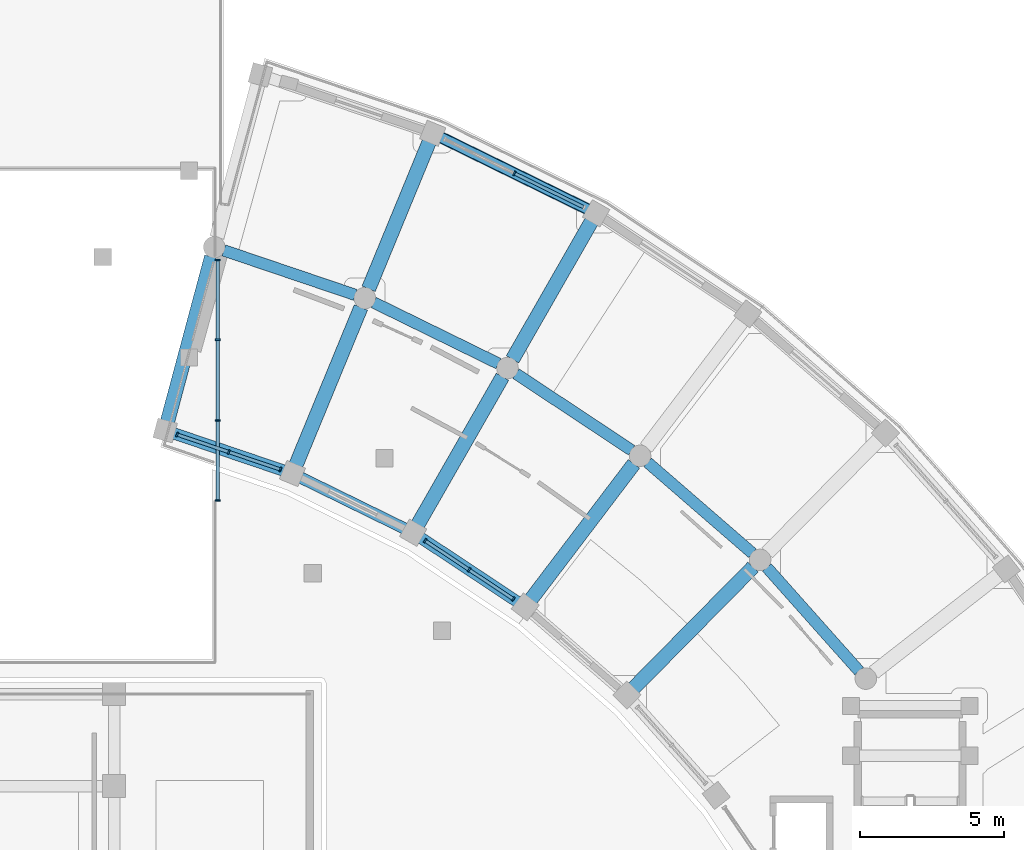
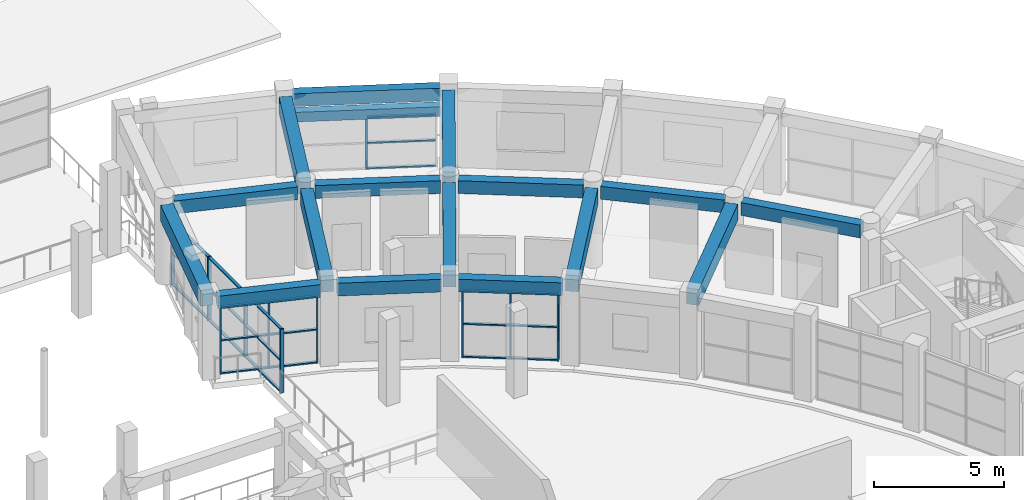
# One storey, part 39 of 87: 35 members, 17 beams, 4 elements without a shape of their own.
"""IFC4 building model written with IfcOpenShell, lengths in metres."""

from ifc_helpers import new_model, si_unit, direction, frame, origin, origin_2d, place, context, subcontext, project, spatial, rectangle, extrude, material, material_profile, profile_set, type_object, element, aggregate, save


model = new_model("IFC4")

# Units and contexts
model_context = context("Model", 3, precision=1e-05, world=origin(), true_north=direction((0.0, 1.0)))
body_context = subcontext(model_context, "Body", "Model", "MODEL_VIEW")
ifc_project = project(units=[si_unit("LENGTHUNIT", "METRE"), si_unit("AREAUNIT", "SQUARE_METRE"), si_unit("VOLUMEUNIT", "CUBIC_METRE"), si_unit("PLANEANGLEUNIT", "RADIAN"), si_unit("MASSUNIT", "GRAM", prefix="KILO")], contexts=[model_context])

# Site, building, storey
site_placement = place(None, origin())
site = spatial("IfcSite", under=ifc_project, at=site_placement, CompositionType="ELEMENT")
building_placement = place(site_placement, origin())
building = spatial("IfcBuilding", under=site, at=building_placement, Name="Saryqyr Civic Hall", CompositionType="ELEMENT")
storey_placement = place(building_placement, frame((0.0, 0.0, 5.10009765625)))
storey = spatial("IfcBuildingStorey", under=building, at=storey_placement, Name="L01", CompositionType="ELEMENT", Elevation=5.10009765625)

# Curtain wall, members
ifc_material_1 = material(Name="Anodised aluminium and triple low-E glass", Category="aluminium")
curtain_wall_type_1 = type_object("IfcCurtainWallType", Name="ENV-CW-STD-18", PredefinedType="NOTDEFINED", material=ifc_material_1)
curtain_wall_1_placement = place(storey_placement, origin())
curtain_wall_1 = element("IfcCurtainWall", 1, at=curtain_wall_1_placement, inside=storey, type_object=curtain_wall_type_1, Name="Curtain wall V6-CWI-L01-07", PredefinedType="NOTDEFINED")
ifc_material_2 = material(Name="Anodised aluminium", Category="aluminium")
ifc_material_profile_1 = material_profile(ifc_material_2, rectangle(XDim=0.06005859375, YDim=0.159912109375, at=origin_2d()), Name="ALU MULLION 60x160")
ifc_profile_set_1 = profile_set([ifc_material_profile_1], Name="Anodised aluminium")
member_type_1 = type_object("IfcMemberType", Name="ENV-CW-MUL-180", PredefinedType="MULLION", material=ifc_profile_set_1)
member_1_placement = place(storey_placement, frame((78.47900390625, 113.103515625, 0.0), z_axis=(0.0, 0.0, 1.0), x_axis=(-0.833778164211, 0.552099604133, 0.0)))
member_1 = element("IfcMember", 2, at=member_1_placement, type_object=member_type_1, Name="CW-18 mullion 1", PredefinedType="MULLION", context=body_context, shape_type="SweptSolid", body=[
    extrude(rectangle(XDim=0.06005859375, YDim=0.159912109375, at=origin_2d()), origin(), (0.0, 0.0, 1.0), 3.14501953125),
])
member_2_placement = place(storey_placement, frame((76.945068359375, 114.119384765625, 0.0), z_axis=(0.0, 0.0, 1.0), x_axis=(-0.833778164211, 0.552099604133, 0.0)))
member_2 = element("IfcMember", 3, at=member_2_placement, type_object=member_type_1, Name="CW-18 mullion 2", PredefinedType="MULLION", context=body_context, shape_type="SweptSolid", body=[
    extrude(rectangle(XDim=0.06005859375, YDim=0.159912109375, at=origin_2d()), origin(), (0.0, 0.0, 1.0), 3.14501953125),
])
member_3_placement = place(storey_placement, frame((75.410888671875, 115.13525390625, 0.0), z_axis=(0.0, 0.0, 1.0), x_axis=(-0.833778164211, 0.552099604133, 0.0)))
member_3 = element("IfcMember", 4, at=member_3_placement, type_object=member_type_1, Name="CW-18 mullion 3", PredefinedType="MULLION", context=body_context, shape_type="SweptSolid", body=[
    extrude(rectangle(XDim=0.06005859375, YDim=0.159912109375, at=origin_2d()), origin(), (0.0, 0.0, 1.0), 3.14501953125),
])

# Curtain wall, member
curtain_wall_type_2 = type_object("IfcCurtainWallType", Name="ENV-CW-STD-38", PredefinedType="NOTDEFINED", material=ifc_material_1)
curtain_wall_2_placement = place(storey_placement, origin())
curtain_wall_2 = element("IfcCurtainWall", 5, at=curtain_wall_2_placement, inside=storey, type_object=curtain_wall_type_2, Name="Curtain wall V6-CWO-L01-08", PredefinedType="NOTDEFINED")
member_4_placement = place(storey_placement, frame((78.517822265625, 127.90869140625, 0.0), z_axis=(0.0, 0.0, 1.0), x_axis=(0.897970253811, -0.440056159224, 0.0)))
member_4 = element("IfcMember", 6, at=member_4_placement, type_object=member_type_1, Name="CW-38 mullion 2", PredefinedType="MULLION", context=body_context, shape_type="SweptSolid", body=[
    extrude(rectangle(XDim=0.06005859375, YDim=0.159912109375, at=origin_2d()), origin(), (0.0, 0.0, 1.0), 2.449951171875),
])

# Curtain wall, members
curtain_wall_type_3 = type_object("IfcCurtainWallType", Name="ENV-CW-STD-20", PredefinedType="NOTDEFINED", material=ifc_material_1)
curtain_wall_3_placement = place(storey_placement, origin())
curtain_wall_3 = element("IfcCurtainWall", 7, at=curtain_wall_3_placement, inside=storey, type_object=curtain_wall_type_3, Name="Curtain wall V6-CWI-L01-09", PredefinedType="NOTDEFINED")
member_5_placement = place(storey_placement, frame((70.37939453125, 117.609130859375, 0.0), z_axis=(0.0, 0.0, 1.0), x_axis=(-0.947198381274, 0.32064813505, 0.0)))
member_5 = element("IfcMember", 8, at=member_5_placement, type_object=member_type_1, Name="CW-20 mullion 1", PredefinedType="MULLION", context=body_context, shape_type="SweptSolid", body=[
    extrude(rectangle(XDim=0.06005859375, YDim=0.159912109375, at=origin_2d()), origin(), (0.0, 0.0, 1.0), 3.14501953125),
])
member_6_placement = place(storey_placement, frame((68.58349609375, 118.217041015625, 0.0), z_axis=(0.0, 0.0, 1.0), x_axis=(-0.947198381274, 0.32064813505, 0.0)))
member_6 = element("IfcMember", 9, at=member_6_placement, type_object=member_type_1, Name="CW-20 mullion 2", PredefinedType="MULLION", context=body_context, shape_type="SweptSolid", body=[
    extrude(rectangle(XDim=0.06005859375, YDim=0.159912109375, at=origin_2d()), origin(), (0.0, 0.0, 1.0), 3.14501953125),
])
member_7_placement = place(storey_placement, frame((66.78759765625, 118.824951171875, 0.0), z_axis=(0.0, 0.0, 1.0), x_axis=(-0.947198381274, 0.32064813505, 0.0)))
member_7 = element("IfcMember", 10, at=member_7_placement, type_object=member_type_1, Name="CW-20 mullion 3", PredefinedType="MULLION", context=body_context, shape_type="SweptSolid", body=[
    extrude(rectangle(XDim=0.06005859375, YDim=0.159912109375, at=origin_2d()), origin(), (0.0, 0.0, 1.0), 3.14501953125),
])

curtain_wall_type_4 = type_object("IfcCurtainWallType", Name="ENV-CW-STD-73", PredefinedType="NOTDEFINED", material=ifc_material_1)
curtain_wall_4_placement = place(storey_placement, origin())
curtain_wall_4 = element("IfcCurtainWall", 11, at=curtain_wall_4_placement, inside=storey, type_object=curtain_wall_type_4, Name="Curtain wall V2-VESTFLK-NE-L01", PredefinedType="NOTDEFINED")
member_8_placement = place(storey_placement, frame((68.199951171875, 124.896484375, 0.0), z_axis=(0.0, 0.0, 1.0), x_axis=(0.0, -1.0, 0.0)))
member_8 = element("IfcMember", 12, at=member_8_placement, type_object=member_type_1, Name="CW-73 mullion 1", PredefinedType="MULLION", context=body_context, shape_type="SweptSolid", body=[
    extrude(rectangle(XDim=0.06005859375, YDim=0.159912109375, at=origin_2d()), origin(), (0.0, 0.0, 1.0), 2.994873046875),
])
member_9_placement = place(storey_placement, frame((68.199951171875, 122.11767578125, 0.0), z_axis=(0.0, 0.0, 1.0), x_axis=(0.0, -1.0, 0.0)))
member_9 = element("IfcMember", 13, at=member_9_placement, type_object=member_type_1, Name="CW-73 mullion 2", PredefinedType="MULLION", context=body_context, shape_type="SweptSolid", body=[
    extrude(rectangle(XDim=0.06005859375, YDim=0.159912109375, at=origin_2d()), origin(), (0.0, 0.0, 1.0), 2.994873046875),
])
member_10_placement = place(storey_placement, frame((68.199951171875, 119.308837890625, 0.0), z_axis=(0.0, 0.0, 1.0), x_axis=(0.0, -1.0, 0.0)))
member_10 = element("IfcMember", 14, at=member_10_placement, type_object=member_type_1, Name="CW-73 mullion 3", PredefinedType="MULLION", context=body_context, shape_type="SweptSolid", body=[
    extrude(rectangle(XDim=0.06005859375, YDim=0.159912109375, at=origin_2d()), origin(), (0.0, 0.0, 1.0), 2.994873046875),
])
member_11_placement = place(storey_placement, frame((68.199951171875, 116.530029296875, 0.0), z_axis=(0.0, 0.0, 1.0), x_axis=(0.0, -1.0, 0.0)))
member_11 = element("IfcMember", 15, at=member_11_placement, type_object=member_type_1, Name="CW-73 mullion 4", PredefinedType="MULLION", context=body_context, shape_type="SweptSolid", body=[
    extrude(rectangle(XDim=0.06005859375, YDim=0.159912109375, at=origin_2d()), origin(), (0.0, 0.0, 1.0), 2.994873046875),
])

# Member
ifc_material_profile_2 = material_profile(ifc_material_2, rectangle(XDim=0.1201171875, YDim=0.06005859375, at=origin_2d()), Name="ALU TRANSOM 120x60")
ifc_profile_set_2 = profile_set([ifc_material_profile_2], Name="Anodised aluminium")
member_type_2 = type_object("IfcMemberType", Name="ENV-CW-TRN-150", PredefinedType="USERDEFINED", material=ifc_profile_set_2)
member_12_placement = place(storey_placement, frame((78.453857421875, 113.1201171875, 0.02978515625), z_axis=(-0.83375576745, 0.552133426125, 0.0), x_axis=(-0.552133426125, -0.83375576745, 0.0)))
member_12 = element("IfcMember", 16, at=member_12_placement, type_object=member_type_2, Name="CW-18 transom 1.1", ObjectType="TRANSOM", PredefinedType="USERDEFINED", context=body_context, shape_type="SweptSolid", body=[
    extrude(rectangle(XDim=0.1201171875, YDim=0.06005859375, at=origin_2d()), origin(), (0.0, 0.0, 1.0), 1.77978515625),
])

member_13_placement = place(storey_placement, frame((78.453857421875, 113.1201171875, 1.572021484375), z_axis=(-0.83375576745, 0.552133426125, 0.0), x_axis=(-0.552133426125, -0.83375576745, 0.0)))
member_13 = element("IfcMember", 17, at=member_13_placement, type_object=member_type_2, Name="CW-18 transom 1.2", ObjectType="TRANSOM", PredefinedType="USERDEFINED", context=body_context, shape_type="SweptSolid", body=[
    extrude(rectangle(XDim=0.1201171875, YDim=0.06005859375, at=origin_2d()), origin(), (0.0, 0.0, 1.0), 1.77978515625),
])

member_14_placement = place(storey_placement, frame((78.453857421875, 113.1201171875, 3.114990234375), z_axis=(-0.83375576745, 0.552133426125, 0.0), x_axis=(-0.552133426125, -0.83375576745, 0.0)))
member_14 = element("IfcMember", 18, at=member_14_placement, type_object=member_type_2, Name="CW-18 transom 1.3", ObjectType="TRANSOM", PredefinedType="USERDEFINED", context=body_context, shape_type="SweptSolid", body=[
    extrude(rectangle(XDim=0.1201171875, YDim=0.06005859375, at=origin_2d()), origin(), (0.0, 0.0, 1.0), 1.77978515625),
])

member_15_placement = place(storey_placement, frame((76.919921875, 114.135986328125, 0.02978515625), z_axis=(-0.83375576745, 0.552133426125, 0.0), x_axis=(-0.552133426125, -0.83375576745, 0.0)))
member_15 = element("IfcMember", 19, at=member_15_placement, type_object=member_type_2, Name="CW-18 transom 2.1", ObjectType="TRANSOM", PredefinedType="USERDEFINED", context=body_context, shape_type="SweptSolid", body=[
    extrude(rectangle(XDim=0.1201171875, YDim=0.06005859375, at=origin_2d()), origin(), (0.0, 0.0, 1.0), 1.77978515625),
])

member_16_placement = place(storey_placement, frame((76.919921875, 114.135986328125, 1.572021484375), z_axis=(-0.83375576745, 0.552133426125, 0.0), x_axis=(-0.552133426125, -0.83375576745, 0.0)))
member_16 = element("IfcMember", 20, at=member_16_placement, type_object=member_type_2, Name="CW-18 transom 2.2", ObjectType="TRANSOM", PredefinedType="USERDEFINED", context=body_context, shape_type="SweptSolid", body=[
    extrude(rectangle(XDim=0.1201171875, YDim=0.06005859375, at=origin_2d()), origin(), (0.0, 0.0, 1.0), 1.77978515625),
])

member_17_placement = place(storey_placement, frame((76.919921875, 114.135986328125, 3.114990234375), z_axis=(-0.83375576745, 0.552133426125, 0.0), x_axis=(-0.552133426125, -0.83375576745, 0.0)))
member_17 = element("IfcMember", 21, at=member_17_placement, type_object=member_type_2, Name="CW-18 transom 2.3", ObjectType="TRANSOM", PredefinedType="USERDEFINED", context=body_context, shape_type="SweptSolid", body=[
    extrude(rectangle(XDim=0.1201171875, YDim=0.06005859375, at=origin_2d()), origin(), (0.0, 0.0, 1.0), 1.77978515625),
])

aggregate(curtain_wall_1, [member_1, member_2, member_3, member_12, member_13, member_14, member_15, member_16, member_17])

member_18_placement = place(storey_placement, frame((78.544677734375, 127.8955078125, 0.02978515625), z_axis=(0.897986647366, -0.440022705269, 0.0), x_axis=(0.440022705269, 0.897986647366, 0.0)))
member_18 = element("IfcMember", 22, at=member_18_placement, type_object=member_type_2, Name="CW-38 transom 2.1", ObjectType="TRANSOM", PredefinedType="USERDEFINED", context=body_context, shape_type="SweptSolid", body=[
    extrude(rectangle(XDim=0.1201171875, YDim=0.06005859375, at=origin_2d()), origin(), (0.0, 0.0, 1.0), 2.639892578125),
])

member_19_placement = place(storey_placement, frame((78.544677734375, 127.8955078125, 1.224853515625), z_axis=(0.897986647366, -0.440022705269, 0.0), x_axis=(0.440022705269, 0.897986647366, 0.0)))
member_19 = element("IfcMember", 23, at=member_19_placement, type_object=member_type_2, Name="CW-38 transom 2.2", ObjectType="TRANSOM", PredefinedType="USERDEFINED", context=body_context, shape_type="SweptSolid", body=[
    extrude(rectangle(XDim=0.1201171875, YDim=0.06005859375, at=origin_2d()), origin(), (0.0, 0.0, 1.0), 2.639892578125),
])

member_20_placement = place(storey_placement, frame((78.544677734375, 127.8955078125, 2.419921875), z_axis=(0.897986647366, -0.440022705269, 0.0), x_axis=(0.440022705269, 0.897986647366, 0.0)))
member_20 = element("IfcMember", 24, at=member_20_placement, type_object=member_type_2, Name="CW-38 transom 2.3", ObjectType="TRANSOM", PredefinedType="USERDEFINED", context=body_context, shape_type="SweptSolid", body=[
    extrude(rectangle(XDim=0.1201171875, YDim=0.06005859375, at=origin_2d()), origin(), (0.0, 0.0, 1.0), 2.639892578125),
])

aggregate(curtain_wall_2, [member_4, member_18, member_19, member_20])

member_21_placement = place(storey_placement, frame((70.350830078125, 117.61865234375, 0.02978515625), z_axis=(-0.947210378036, 0.320612694292, 0.0), x_axis=(-0.320612694292, -0.947210378036, 0.0)))
member_21 = element("IfcMember", 25, at=member_21_placement, type_object=member_type_2, Name="CW-20 transom 1.1", ObjectType="TRANSOM", PredefinedType="USERDEFINED", context=body_context, shape_type="SweptSolid", body=[
    extrude(rectangle(XDim=0.1201171875, YDim=0.06005859375, at=origin_2d()), origin(), (0.0, 0.0, 1.0), 1.8359375),
])

member_22_placement = place(storey_placement, frame((70.350830078125, 117.61865234375, 1.572021484375), z_axis=(-0.947210378036, 0.320612694292, 0.0), x_axis=(-0.320612694292, -0.947210378036, 0.0)))
member_22 = element("IfcMember", 26, at=member_22_placement, type_object=member_type_2, Name="CW-20 transom 1.2", ObjectType="TRANSOM", PredefinedType="USERDEFINED", context=body_context, shape_type="SweptSolid", body=[
    extrude(rectangle(XDim=0.1201171875, YDim=0.06005859375, at=origin_2d()), origin(), (0.0, 0.0, 1.0), 1.8359375),
])

member_23_placement = place(storey_placement, frame((70.350830078125, 117.61865234375, 3.114990234375), z_axis=(-0.947210378036, 0.320612694292, 0.0), x_axis=(-0.320612694292, -0.947210378036, 0.0)))
member_23 = element("IfcMember", 27, at=member_23_placement, type_object=member_type_2, Name="CW-20 transom 1.3", ObjectType="TRANSOM", PredefinedType="USERDEFINED", context=body_context, shape_type="SweptSolid", body=[
    extrude(rectangle(XDim=0.1201171875, YDim=0.06005859375, at=origin_2d()), origin(), (0.0, 0.0, 1.0), 1.8359375),
])

member_24_placement = place(storey_placement, frame((68.554931640625, 118.2265625, 0.02978515625), z_axis=(-0.947210378036, 0.320612694292, 0.0), x_axis=(-0.320612694292, -0.947210378036, 0.0)))
member_24 = element("IfcMember", 28, at=member_24_placement, type_object=member_type_2, Name="CW-20 transom 2.1", ObjectType="TRANSOM", PredefinedType="USERDEFINED", context=body_context, shape_type="SweptSolid", body=[
    extrude(rectangle(XDim=0.1201171875, YDim=0.06005859375, at=origin_2d()), origin(), (0.0, 0.0, 1.0), 1.8359375),
])

member_25_placement = place(storey_placement, frame((68.554931640625, 118.2265625, 1.572021484375), z_axis=(-0.947210378036, 0.320612694292, 0.0), x_axis=(-0.320612694292, -0.947210378036, 0.0)))
member_25 = element("IfcMember", 29, at=member_25_placement, type_object=member_type_2, Name="CW-20 transom 2.2", ObjectType="TRANSOM", PredefinedType="USERDEFINED", context=body_context, shape_type="SweptSolid", body=[
    extrude(rectangle(XDim=0.1201171875, YDim=0.06005859375, at=origin_2d()), origin(), (0.0, 0.0, 1.0), 1.8359375),
])

member_26_placement = place(storey_placement, frame((68.554931640625, 118.2265625, 3.114990234375), z_axis=(-0.947210378036, 0.320612694292, 0.0), x_axis=(-0.320612694292, -0.947210378036, 0.0)))
member_26 = element("IfcMember", 30, at=member_26_placement, type_object=member_type_2, Name="CW-20 transom 2.3", ObjectType="TRANSOM", PredefinedType="USERDEFINED", context=body_context, shape_type="SweptSolid", body=[
    extrude(rectangle(XDim=0.1201171875, YDim=0.06005859375, at=origin_2d()), origin(), (0.0, 0.0, 1.0), 1.8359375),
])

aggregate(curtain_wall_3, [member_5, member_6, member_7, member_21, member_22, member_23, member_24, member_25, member_26])

member_27_placement = place(storey_placement, frame((68.199951171875, 124.86669921875, 0.02978515625), z_axis=(0.0, -1.0, 0.0), x_axis=(1.0, 0.0, 0.0)))
member_27 = element("IfcMember", 31, at=member_27_placement, type_object=member_type_2, Name="CW-73 transom 1.1", ObjectType="TRANSOM", PredefinedType="USERDEFINED", context=body_context, shape_type="SweptSolid", body=[
    extrude(rectangle(XDim=0.1201171875, YDim=0.06005859375, at=origin_2d()), origin(), (0.0, 0.0, 1.0), 2.718994140625),
])

member_28_placement = place(storey_placement, frame((68.199951171875, 124.86669921875, 1.497802734375), z_axis=(0.0, -1.0, 0.0), x_axis=(1.0, 0.0, 0.0)))
member_28 = element("IfcMember", 32, at=member_28_placement, type_object=member_type_2, Name="CW-73 transom 1.2", ObjectType="TRANSOM", PredefinedType="USERDEFINED", context=body_context, shape_type="SweptSolid", body=[
    extrude(rectangle(XDim=0.1201171875, YDim=0.06005859375, at=origin_2d()), origin(), (0.0, 0.0, 1.0), 2.718994140625),
])

member_29_placement = place(storey_placement, frame((68.199951171875, 124.86669921875, 2.96484375), z_axis=(0.0, -1.0, 0.0), x_axis=(1.0, 0.0, 0.0)))
member_29 = element("IfcMember", 33, at=member_29_placement, type_object=member_type_2, Name="CW-73 transom 1.3", ObjectType="TRANSOM", PredefinedType="USERDEFINED", context=body_context, shape_type="SweptSolid", body=[
    extrude(rectangle(XDim=0.1201171875, YDim=0.06005859375, at=origin_2d()), origin(), (0.0, 0.0, 1.0), 2.718994140625),
])

member_30_placement = place(storey_placement, frame((68.199951171875, 122.087646484375, 0.02978515625), z_axis=(0.0, -1.0, 0.0), x_axis=(1.0, 0.0, 0.0)))
member_30 = element("IfcMember", 34, at=member_30_placement, type_object=member_type_2, Name="CW-73 transom 2.1", ObjectType="TRANSOM", PredefinedType="USERDEFINED", context=body_context, shape_type="SweptSolid", body=[
    extrude(rectangle(XDim=0.1201171875, YDim=0.06005859375, at=origin_2d()), origin(), (0.0, 0.0, 1.0), 2.748779296875),
])

member_31_placement = place(storey_placement, frame((68.199951171875, 122.087646484375, 1.497802734375), z_axis=(0.0, -1.0, 0.0), x_axis=(1.0, 0.0, 0.0)))
member_31 = element("IfcMember", 35, at=member_31_placement, type_object=member_type_2, Name="CW-73 transom 2.2", ObjectType="TRANSOM", PredefinedType="USERDEFINED", context=body_context, shape_type="SweptSolid", body=[
    extrude(rectangle(XDim=0.1201171875, YDim=0.06005859375, at=origin_2d()), origin(), (0.0, 0.0, 1.0), 2.748779296875),
])

member_32_placement = place(storey_placement, frame((68.199951171875, 122.087646484375, 2.96484375), z_axis=(0.0, -1.0, 0.0), x_axis=(1.0, 0.0, 0.0)))
member_32 = element("IfcMember", 36, at=member_32_placement, type_object=member_type_2, Name="CW-73 transom 2.3", ObjectType="TRANSOM", PredefinedType="USERDEFINED", context=body_context, shape_type="SweptSolid", body=[
    extrude(rectangle(XDim=0.1201171875, YDim=0.06005859375, at=origin_2d()), origin(), (0.0, 0.0, 1.0), 2.748779296875),
])

member_33_placement = place(storey_placement, frame((68.199951171875, 119.27880859375, 0.02978515625), z_axis=(0.0, -1.0, 0.0), x_axis=(1.0, 0.0, 0.0)))
member_33 = element("IfcMember", 37, at=member_33_placement, type_object=member_type_2, Name="CW-73 transom 3.1", ObjectType="TRANSOM", PredefinedType="USERDEFINED", context=body_context, shape_type="SweptSolid", body=[
    extrude(rectangle(XDim=0.1201171875, YDim=0.06005859375, at=origin_2d()), origin(), (0.0, 0.0, 1.0), 2.71875),
])

member_34_placement = place(storey_placement, frame((68.199951171875, 119.27880859375, 1.497802734375), z_axis=(0.0, -1.0, 0.0), x_axis=(1.0, 0.0, 0.0)))
member_34 = element("IfcMember", 38, at=member_34_placement, type_object=member_type_2, Name="CW-73 transom 3.2", ObjectType="TRANSOM", PredefinedType="USERDEFINED", context=body_context, shape_type="SweptSolid", body=[
    extrude(rectangle(XDim=0.1201171875, YDim=0.06005859375, at=origin_2d()), origin(), (0.0, 0.0, 1.0), 2.71875),
])

member_35_placement = place(storey_placement, frame((68.199951171875, 119.27880859375, 2.96484375), z_axis=(0.0, -1.0, 0.0), x_axis=(1.0, 0.0, 0.0)))
member_35 = element("IfcMember", 39, at=member_35_placement, type_object=member_type_2, Name="CW-73 transom 3.3", ObjectType="TRANSOM", PredefinedType="USERDEFINED", context=body_context, shape_type="SweptSolid", body=[
    extrude(rectangle(XDim=0.1201171875, YDim=0.06005859375, at=origin_2d()), origin(), (0.0, 0.0, 1.0), 2.71875),
])

aggregate(curtain_wall_4, [member_8, member_9, member_10, member_11, member_27, member_28, member_29, member_30, member_31, member_32, member_33, member_34, member_35])

# Beams
ifc_material_3 = material(Name="Concrete C35/45", Category="concrete")
ifc_material_profile_3 = material_profile(ifc_material_3, rectangle(XDim=0.39990234375, YDim=0.60009765625, at=origin_2d()), Name="RC 400x600")
ifc_profile_set_3 = profile_set([ifc_material_profile_3], Name="Concrete C35/45")
beam_type_1 = type_object("IfcBeamType", Name="STR-BM-RC400x600", PredefinedType="BEAM", material=ifc_profile_set_3)
beam_1_placement = place(storey_placement, frame((90.505615234375, 110.596923828125, 3.469970703125), z_axis=(-0.664931763448, 0.746904110284, 0.0), x_axis=(-0.746904110284, -0.664931763448, 0.0)))
element("IfcBeam", 40, at=beam_1_placement, inside=storey, type_object=beam_type_1, Name="Beam V6-CBM-MID05-L01", PredefinedType="BEAM", context=body_context, shape_type="SweptSolid", body=[
    extrude(rectangle(XDim=0.39990234375, YDim=0.60009765625, at=origin_2d()), origin(), (0.0, 0.0, 1.0), 4.827880859375),
])
for number, where, z_axis, x_axis, name in (
    (41, (86.79833984375, 114.693359375, 3.469970703125), (-0.755632347986, 0.654995995925, 0.0), (-0.654995995925, -0.755632347986, 0.0), "Beam V6-CBM-MID06-L01"),
    (42, (82.593994140625, 118.27783203125, 3.469970703125), (-0.833757954483, 0.552130123555, 0.0), (-0.552130123555, -0.833757954483, 0.0), "Beam V6-CBM-MID07-L01"),
    (43, (77.962646484375, 121.29052734375, 3.469970703125), (-0.897959126553, 0.440078864568, 0.0), (-0.440078864568, -0.897959126553, 0.0), "Beam V6-CBM-MID08-L01"),
    (44, (72.981689453125, 123.681396484375, 3.469970703125), (-0.947191159228, 0.320669468268, 0.0), (-0.320669468268, -0.947191159228, 0.0), "Beam V6-CBM-MID09-L01"),
):
    element("IfcBeam", number, at=place(storey_placement, frame(where, z_axis=z_axis, x_axis=x_axis)), inside=storey, type_object=beam_type_1, Name=name, PredefinedType="BEAM", context=body_context, shape_type="SweptSolid", body=[
        extrude(rectangle(XDim=0.39990234375, YDim=0.60009765625, at=origin_2d()), origin(), (0.0, 0.0, 1.0), 4.82763671875),
    ])
ifc_material_profile_4 = material_profile(ifc_material_3, rectangle(XDim=0.39990234375, YDim=0.60009765625, at=origin_2d()), Name="RC 400x600")
ifc_profile_set_4 = profile_set([ifc_material_profile_4], Name="Concrete C35/45")
beam_type_2 = type_object("IfcBeamType", Name="STR-BM-RC400x600-EXT", PredefinedType="BEAM", material=ifc_profile_set_4)
beam_2_placement = place(storey_placement, frame((78.623046875, 113.008056640625, 3.469970703125), z_axis=(-0.833744572827, 0.552150330328, 0.0), x_axis=(-0.552150330328, -0.833744572827, 0.0)))
element("IfcBeam", 45, at=beam_2_placement, inside=storey, type_object=beam_type_2, Name="Beam V6-CBM-IN07-L01", PredefinedType="BEAM", context=body_context, shape_type="SweptSolid", body=[
    extrude(rectangle(XDim=0.39990234375, YDim=0.60009765625, at=origin_2d()), origin(), (0.0, 0.0, 1.0), 4.025390625),
])
beam_3_placement = place(storey_placement, frame((74.7041015625, 115.552978515625, 3.469970703125), z_axis=(-0.897953152011, 0.440091055116, 0.0), x_axis=(-0.440091055116, -0.897953152011, 0.0)))
element("IfcBeam", 46, at=beam_3_placement, inside=storey, type_object=beam_type_2, Name="Beam V6-CBM-IN08-L01", PredefinedType="BEAM", context=body_context, shape_type="SweptSolid", body=[
    extrude(rectangle(XDim=0.39990234375, YDim=0.60009765625, at=origin_2d()), origin(), (0.0, 0.0, 1.0), 4.025146484375),
])
beam_4_placement = place(storey_placement, frame((81.0673828125, 126.6591796875, 3.469970703125), z_axis=(-0.897958701712, 0.440079731434, 0.0), x_axis=(-0.440079731434, -0.897958701712, 0.0)))
element("IfcBeam", 47, at=beam_4_placement, inside=storey, type_object=beam_type_2, Name="Beam V6-CBM-OUT08-L01", PredefinedType="BEAM", context=body_context, shape_type="SweptSolid", body=[
    extrude(rectangle(XDim=0.39990234375, YDim=0.60009765625, at=origin_2d()), origin(), (0.0, 0.0, 1.0), 5.678466796875),
])
beam_5_placement = place(storey_placement, frame((70.489990234375, 117.571533203125, 3.469970703125), z_axis=(-0.947199251147, 0.320645565425, 0.0), x_axis=(-0.320645565425, -0.947199251147, 0.0)))
element("IfcBeam", 48, at=beam_5_placement, inside=storey, type_object=beam_type_2, Name="Beam V6-CBM-IN09-L01", PredefinedType="BEAM", context=body_context, shape_type="SweptSolid", body=[
    extrude(rectangle(XDim=0.39990234375, YDim=0.60009765625, at=origin_2d()), origin(), (0.0, 0.0, 1.0), 4.025634765625),
])
ifc_material_4 = material(Name="Concrete C40/50", Category="concrete")
ifc_material_profile_5 = material_profile(ifc_material_4, rectangle(XDim=0.5, YDim=0.75, at=origin_2d()), Name="RC 500x750")
ifc_profile_set_5 = profile_set([ifc_material_profile_5], Name="Concrete C40/50")
beam_type_3 = type_object("IfcBeamType", Name="STR-BM-RC500x750", PredefinedType="BEAM", material=ifc_profile_set_5)
beam_6_placement = place(storey_placement, frame((82.6552734375, 109.997802734375, 3.39501953125), z_axis=(0.702393719037, 0.711788636786, 0.0), x_axis=(-0.711788636786, 0.702393719037, 0.0)))
element("IfcBeam", 49, at=beam_6_placement, inside=storey, type_object=beam_type_3, Name="Beam V6-RBM-A06-L01", PredefinedType="BEAM", context=body_context, shape_type="SweptSolid", body=[
    extrude(rectangle(XDim=0.5, YDim=0.75, at=origin_2d()), origin(), (0.0, 0.0, 1.0), 5.9248046875),
])
for number, where, z_axis, x_axis, name in (
    (50, (79.090576171875, 113.08740234375, 3.39501953125), (0.60480846118, 0.796370972151, 0.0), (-0.796370972151, 0.60480846118, 0.0), "Beam V6-RBM-A07-L01"),
    (51, (75.157470703125, 115.69189453125, 3.39501953125), (0.497128149807, 0.867677130429, 0.0), (-0.867677130429, 0.497128149807, 0.0), "Beam V6-RBM-A08-L01"),
):
    element("IfcBeam", number, at=place(storey_placement, frame(where, z_axis=z_axis, x_axis=x_axis)), inside=storey, type_object=beam_type_3, Name=name, PredefinedType="BEAM", context=body_context, shape_type="SweptSolid", body=[
        extrude(rectangle(XDim=0.5, YDim=0.75, at=origin_2d()), origin(), (0.0, 0.0, 1.0), 5.925048828125),
    ])
beam_7_placement = place(storey_placement, frame((78.450927734375, 121.440185546875, 3.39501953125), z_axis=(0.497099863993, 0.867693335931, 0.0), x_axis=(-0.867693335931, 0.497099863993, 0.0)))
element("IfcBeam", 52, at=beam_7_placement, inside=storey, type_object=beam_type_3, Name="Beam V6-RBM-B08-L01", PredefinedType="BEAM", context=body_context, shape_type="SweptSolid", body=[
    extrude(rectangle(XDim=0.5, YDim=0.75, at=origin_2d()), origin(), (0.0, 0.0, 1.0), 5.525146484375),
])
beam_8_placement = place(storey_placement, frame((70.921630859375, 117.767822265625, 3.39501953125), z_axis=(0.381145605897, 0.92451502265, 0.0), x_axis=(-0.92451502265, 0.381145605897, 0.0)))
element("IfcBeam", 53, at=beam_8_placement, inside=storey, type_object=beam_type_3, Name="Beam V6-RBM-A09-L01", PredefinedType="BEAM", context=body_context, shape_type="SweptSolid", body=[
    extrude(rectangle(XDim=0.5, YDim=0.75, at=origin_2d()), origin(), (0.0, 0.0, 1.0), 5.925048828125),
])
beam_9_placement = place(storey_placement, frame((73.44677734375, 123.892578125, 3.39501953125), z_axis=(0.381129824342, 0.924521528682, 0.0), x_axis=(-0.924521528682, 0.381129824342, 0.0)))
element("IfcBeam", 54, at=beam_9_placement, inside=storey, type_object=beam_type_3, Name="Beam V6-RBM-B09-L01", PredefinedType="BEAM", context=body_context, shape_type="SweptSolid", body=[
    extrude(rectangle(XDim=0.5, YDim=0.75, at=origin_2d()), origin(), (0.0, 0.0, 1.0), 5.52490234375),
])
beam_10_placement = place(storey_placement, frame((66.453369140625, 119.280517578125, 3.39501953125), z_axis=(0.258819159681, 0.965925795588, 0.0), x_axis=(-0.965925795588, 0.258819159681, 0.0)))
element("IfcBeam", 55, at=beam_10_placement, inside=storey, type_object=beam_type_3, Name="Beam V6-RBM-A10-L01", PredefinedType="BEAM", context=body_context, shape_type="SweptSolid", body=[
    extrude(rectangle(XDim=0.5, YDim=0.75, at=origin_2d()), origin(), (0.0, 0.0, 1.0), 5.9248046875),
])
ifc_material_5 = material(Name="Precast concrete C40/50", Category="concrete")
ifc_material_profile_6 = material_profile(ifc_material_5, rectangle(XDim=0.35009765625, YDim=0.449951171875, at=origin_2d()), Name="RC 350x450")
ifc_profile_set_6 = profile_set([ifc_material_profile_6], Name="Precast concrete C40/50")
beam_type_4 = type_object("IfcBeamType", Name="STR-LIN-RC350x450", PredefinedType="LINTEL", material=ifc_profile_set_6)
beam_11_placement = place(storey_placement, frame((81.0673828125, 126.6591796875, 2.65478515625), z_axis=(-0.897958701712, 0.440079731434, 0.0), x_axis=(-0.440079731434, -0.897958701712, 0.0)))
element("IfcBeam", 56, at=beam_11_placement, inside=storey, type_object=beam_type_4, Name="Beam V6-LIN-08-L01", PredefinedType="LINTEL", context=body_context, shape_type="SweptSolid", body=[
    extrude(rectangle(XDim=0.35009765625, YDim=0.449951171875, at=origin_2d()), origin(), (0.0, 0.0, 1.0), 5.678466796875),
])

save(model, "model.ifc")
